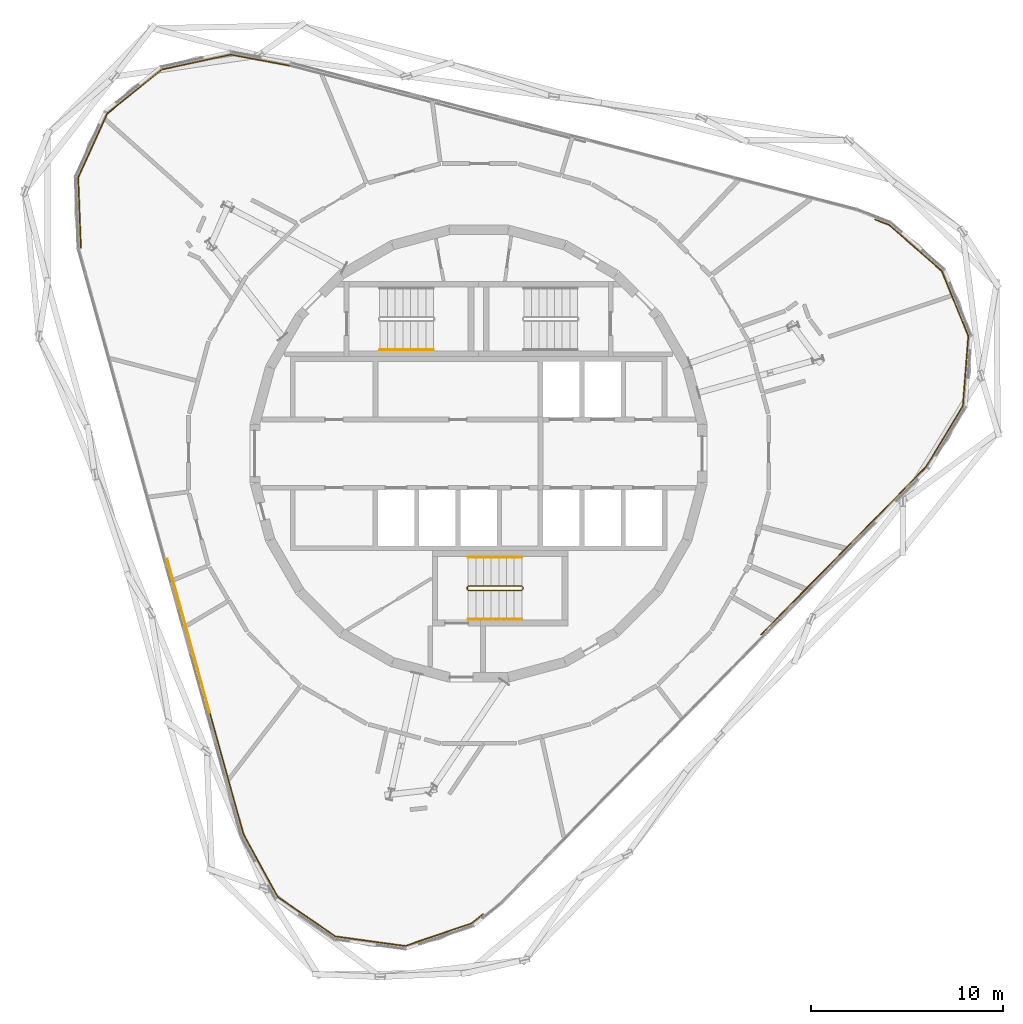
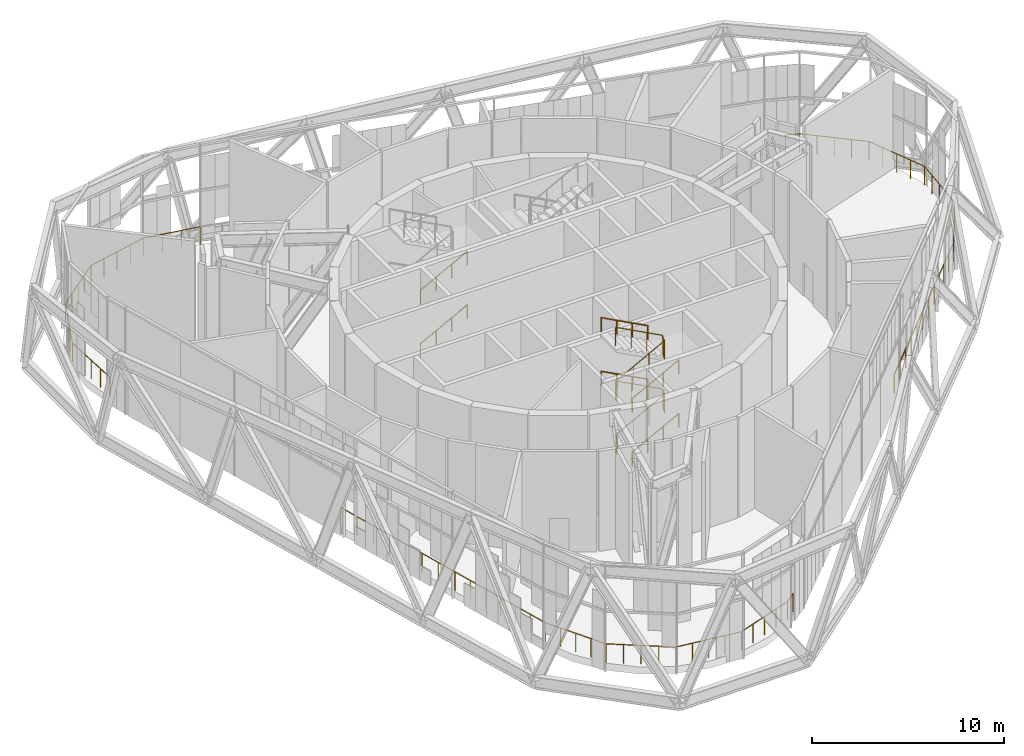
# One storey, part 22 of 23: 12 railings.
"""IFC4 building model written with IfcOpenShell, lengths in metres."""

from ifc_helpers import new_model, si_unit, direction, frame, origin, origin_2d, place, context, subcontext, project, spatial, circle, extrude, material, type_object, element, save


model = new_model("IFC4")

# Units and contexts
model_context = context("Model", 3, precision=1e-05, world=origin(), true_north=direction((0.0, 1.0)))
body_context = subcontext(model_context, "Body", "Model", "MODEL_VIEW")
ifc_project = project(units=[si_unit("LENGTHUNIT", "METRE"), si_unit("AREAUNIT", "SQUARE_METRE"), si_unit("VOLUMEUNIT", "CUBIC_METRE"), si_unit("PLANEANGLEUNIT", "RADIAN"), si_unit("MASSUNIT", "GRAM", prefix="KILO")], contexts=[model_context])

# Site, building, storey
site_placement = place(None, origin())
site = spatial("IfcSite", under=ifc_project, at=site_placement, CompositionType="ELEMENT")
building_placement = place(site_placement, origin())
building = spatial("IfcBuilding", under=site, at=building_placement, Name="Spindle Arch Residences", CompositionType="ELEMENT")
storey_placement = place(building_placement, frame((0.0, 0.0, 326.199951171875)))
storey = spatial("IfcBuildingStorey", under=building, at=storey_placement, Name="L84", CompositionType="ELEMENT", Elevation=326.199951171875)

# Railings
ifc_material_1 = material(Name="Bronze anodised aluminium guard with glass infill", Category="aluminium")
railing_type_1 = type_object("IfcRailingType", Name="Facade guard 1200", PredefinedType="GUARDRAIL", material=ifc_material_1)
railing_1_placement = place(storey_placement, frame((20.556396484375, -3.470947265625, 0.0)))
element("IfcRailing", 1, at=railing_1_placement, inside=storey, type_object=railing_type_1, Name="Facade guard L84 1", PredefinedType="GUARDRAIL", context=body_context, shape_type="SweptSolid", body=[
    extrude(circle(Radius=0.02392578125, at=origin_2d()), frame((0.0, 0.0, 1.17578125), z_axis=(0.70089977121, 0.713259777863, 0.0), x_axis=(-0.713259777863, 0.70089977121, 0.0)), (0.0, 0.0, 1.0), 3.910888671875),
    extrude(circle(Radius=0.02392578125, at=origin_2d()), frame((2.7412109375, 2.78955078125, 1.17578125), z_axis=(0.518177122252, 0.855273330564, 0.0), x_axis=(-0.855273330564, 0.518177122252, 0.0)), (0.0, 0.0, 1.0), 3.69140625),
    extrude(circle(Radius=0.02392578125, at=origin_2d()), frame((4.654052734375, 5.94677734375, 1.17578125), z_axis=(0.077794332517, 0.996969428733, 0.0), x_axis=(-0.996969428733, 0.077794332517, 0.0)), (0.0, 0.0, 1.0), 3.656005859375),
    extrude(circle(Radius=0.02392578125, at=origin_2d()), frame((4.9384765625, 9.591796875, 1.17578125), z_axis=(-0.377943722414, 0.925828570896, 0.0), x_axis=(-0.925828570896, -0.377943722414, 0.0)), (0.0, 0.0, 1.0), 3.65625),
    extrude(circle(Radius=0.02392578125, at=origin_2d()), frame((3.556640625, 12.976806640625, 1.17578125), z_axis=(-0.753205086226, 0.657785753937, 0.0), x_axis=(-0.657785753937, -0.753205086226, 0.0)), (0.0, 0.0, 1.0), 3.65625),
    extrude(circle(Radius=0.02392578125, at=origin_2d()), frame((0.802734375, 15.3818359375, 1.17578125), z_axis=(-0.931968605016, 0.362538989992, 0.0), x_axis=(-0.362538989992, -0.931968605016, 0.0)), (0.0, 0.0, 1.0), 0.76220703125),
    extrude(circle(Radius=0.02099609375, at=origin_2d()), origin(), (0.0, 0.0, 1.0), 1.15185546875),
    extrude(circle(Radius=0.02099609375, at=origin_2d()), frame((0.685302734375, 0.697265625, 0.0)), (0.0, 0.0, 1.0), 1.15185546875),
    extrude(circle(Radius=0.02099609375, at=origin_2d()), frame((1.37060546875, 1.394775390625, 0.0)), (0.0, 0.0, 1.0), 1.15185546875),
    extrude(circle(Radius=0.02099609375, at=origin_2d()), frame((2.055908203125, 2.09228515625, 0.0)), (0.0, 0.0, 1.0), 1.15185546875),
    extrude(circle(Radius=0.02099609375, at=origin_2d()), frame((2.7412109375, 2.78955078125, 0.0)), (0.0, 0.0, 1.0), 1.15185546875),
    extrude(circle(Radius=0.02099609375, at=origin_2d()), frame((3.219482421875, 3.578857421875, 0.0)), (0.0, 0.0, 1.0), 1.15185546875),
    extrude(circle(Radius=0.02099609375, at=origin_2d()), frame((3.69775390625, 4.3681640625, 0.0)), (0.0, 0.0, 1.0), 1.15185546875),
    extrude(circle(Radius=0.02099609375, at=origin_2d()), frame((4.17578125, 5.157470703125, 0.0)), (0.0, 0.0, 1.0), 1.15185546875),
    extrude(circle(Radius=0.02099609375, at=origin_2d()), frame((4.654052734375, 5.94677734375, 0.0)), (0.0, 0.0, 1.0), 1.15185546875),
    extrude(circle(Radius=0.02099609375, at=origin_2d()), frame((4.72509765625, 6.85791015625, 0.0)), (0.0, 0.0, 1.0), 1.15185546875),
    extrude(circle(Radius=0.02099609375, at=origin_2d()), frame((4.79638671875, 7.769287109375, 0.0)), (0.0, 0.0, 1.0), 1.15185546875),
    extrude(circle(Radius=0.02099609375, at=origin_2d()), frame((4.867431640625, 8.6806640625, 0.0)), (0.0, 0.0, 1.0), 1.15185546875),
    extrude(circle(Radius=0.02099609375, at=origin_2d()), frame((4.9384765625, 9.591796875, 0.0)), (0.0, 0.0, 1.0), 1.15185546875),
    extrude(circle(Radius=0.02099609375, at=origin_2d()), frame((4.593017578125, 10.43798828125, 0.0)), (0.0, 0.0, 1.0), 1.15185546875),
    extrude(circle(Radius=0.02099609375, at=origin_2d()), frame((4.24755859375, 11.2841796875, 0.0)), (0.0, 0.0, 1.0), 1.15185546875),
    extrude(circle(Radius=0.02099609375, at=origin_2d()), frame((3.902099609375, 12.130615234375, 0.0)), (0.0, 0.0, 1.0), 1.15185546875),
    extrude(circle(Radius=0.02099609375, at=origin_2d()), frame((3.556640625, 12.976806640625, 0.0)), (0.0, 0.0, 1.0), 1.15185546875),
    extrude(circle(Radius=0.02099609375, at=origin_2d()), frame((2.8681640625, 13.578125, 0.0)), (0.0, 0.0, 1.0), 1.15185546875),
    extrude(circle(Radius=0.02099609375, at=origin_2d()), frame((2.1796875, 14.17919921875, 0.0)), (0.0, 0.0, 1.0), 1.15185546875),
    extrude(circle(Radius=0.02099609375, at=origin_2d()), frame((1.4912109375, 14.780517578125, 0.0)), (0.0, 0.0, 1.0), 1.15185546875),
    extrude(circle(Radius=0.02099609375, at=origin_2d()), frame((0.802734375, 15.3818359375, 0.0)), (0.0, 0.0, 1.0), 1.15185546875),
    extrude(circle(Radius=0.02099609375, at=origin_2d()), frame((0.09228515625, 15.658203125, 0.0)), (0.0, 0.0, 1.0), 1.15185546875),
])
railing_2_placement = place(storey_placement, frame((-9.82373046875, 20.19580078125, 0.0)))
element("IfcRailing", 2, at=railing_2_placement, inside=storey, type_object=railing_type_1, Name="Facade guard L84 3", PredefinedType="GUARDRAIL", context=body_context, shape_type="SweptSolid", body=[
    extrude(circle(Radius=0.02392578125, at=origin_2d()), frame((0.0, 0.0, 1.17578125), z_axis=(-0.982955792974, 0.183842076412, 0.0), x_axis=(-0.183842076412, -0.982955792974, 0.0)), (0.0, 0.0, 1.0), 3.13671875),
    extrude(circle(Radius=0.02392578125, at=origin_2d()), frame((-3.083251953125, 0.57666015625, 1.17578125), z_axis=(-0.977538532166, -0.210756774816, 0.0), x_axis=(0.210756774816, -0.977538532166, 0.0)), (0.0, 0.0, 1.0), 3.666259765625),
    extrude(circle(Radius=0.02392578125, at=origin_2d()), frame((-6.667236328125, -0.196044921875, 1.17578125), z_axis=(-0.778524598798, -0.62761409247, 0.0), x_axis=(0.62761409247, -0.778524598798, 0.0)), (0.0, 0.0, 1.0), 3.65625),
    extrude(circle(Radius=0.02392578125, at=origin_2d()), frame((-9.513671875, -2.49072265625, 1.17578125), z_axis=(-0.414059500912, -0.910249817196, 0.0), x_axis=(0.910249817196, -0.414059500912, 0.0)), (0.0, 0.0, 1.0), 3.65625),
    extrude(circle(Radius=0.02392578125, at=origin_2d()), frame((-11.027587890625, -5.81884765625, 1.17578125), z_axis=(0.038461330533, -0.999260089293, 0.0), x_axis=(0.999260089293, 0.038461330533, 0.0)), (0.0, 0.0, 1.0), 3.65625),
    extrude(circle(Radius=0.02099609375, at=origin_2d()), origin(), (0.0, 0.0, 1.0), 1.15185546875),
    extrude(circle(Radius=0.02099609375, at=origin_2d()), frame((-1.02783203125, 0.192138671875, 0.0)), (0.0, 0.0, 1.0), 1.15185546875),
    extrude(circle(Radius=0.02099609375, at=origin_2d()), frame((-2.055419921875, 0.384521484375, 0.0)), (0.0, 0.0, 1.0), 1.15185546875),
    extrude(circle(Radius=0.02099609375, at=origin_2d()), frame((-3.083251953125, 0.57666015625, 0.0)), (0.0, 0.0, 1.0), 1.15185546875),
    extrude(circle(Radius=0.02099609375, at=origin_2d()), frame((-3.979248046875, 0.383544921875, 0.0)), (0.0, 0.0, 1.0), 1.15185546875),
    extrude(circle(Radius=0.02099609375, at=origin_2d()), frame((-4.875244140625, 0.1904296875, 0.0)), (0.0, 0.0, 1.0), 1.15185546875),
    extrude(circle(Radius=0.02099609375, at=origin_2d()), frame((-5.771240234375, -0.0029296875, 0.0)), (0.0, 0.0, 1.0), 1.15185546875),
    extrude(circle(Radius=0.02099609375, at=origin_2d()), frame((-6.667236328125, -0.196044921875, 0.0)), (0.0, 0.0, 1.0), 1.15185546875),
    extrude(circle(Radius=0.02099609375, at=origin_2d()), frame((-7.37890625, -0.769775390625, 0.0)), (0.0, 0.0, 1.0), 1.15185546875),
    extrude(circle(Radius=0.02099609375, at=origin_2d()), frame((-8.09033203125, -1.34326171875, 0.0)), (0.0, 0.0, 1.0), 1.15185546875),
    extrude(circle(Radius=0.02099609375, at=origin_2d()), frame((-8.802001953125, -1.9169921875, 0.0)), (0.0, 0.0, 1.0), 1.15185546875),
    extrude(circle(Radius=0.02099609375, at=origin_2d()), frame((-9.513671875, -2.49072265625, 0.0)), (0.0, 0.0, 1.0), 1.15185546875),
    extrude(circle(Radius=0.02099609375, at=origin_2d()), frame((-9.89208984375, -3.32275390625, 0.0)), (0.0, 0.0, 1.0), 1.15185546875),
    extrude(circle(Radius=0.02099609375, at=origin_2d()), frame((-10.2705078125, -4.15478515625, 0.0)), (0.0, 0.0, 1.0), 1.15185546875),
    extrude(circle(Radius=0.02099609375, at=origin_2d()), frame((-10.649169921875, -4.98681640625, 0.0)), (0.0, 0.0, 1.0), 1.15185546875),
    extrude(circle(Radius=0.02099609375, at=origin_2d()), frame((-11.027587890625, -5.81884765625, 0.0)), (0.0, 0.0, 1.0), 1.15185546875),
    extrude(circle(Radius=0.02099609375, at=origin_2d()), frame((-10.992431640625, -6.732177734375, 0.0)), (0.0, 0.0, 1.0), 1.15185546875),
    extrude(circle(Radius=0.02099609375, at=origin_2d()), frame((-10.957275390625, -7.6455078125, 0.0)), (0.0, 0.0, 1.0), 1.15185546875),
    extrude(circle(Radius=0.02099609375, at=origin_2d()), frame((-10.922119140625, -8.55908203125, 0.0)), (0.0, 0.0, 1.0), 1.15185546875),
    extrude(circle(Radius=0.02099609375, at=origin_2d()), frame((-10.886962890625, -9.472412109375, 0.0)), (0.0, 0.0, 1.0), 1.15185546875),
])
railing_3_placement = place(storey_placement, frame((-16.21826171875, -5.48681640625, 0.0)))
element("IfcRailing", 3, at=railing_3_placement, inside=storey, type_object=railing_type_1, Name="Facade guard L84 4", PredefinedType="GUARDRAIL", context=body_context, shape_type="SweptSolid", body=[
    extrude(circle(Radius=0.02392578125, at=origin_2d()), frame((0.0, 0.0, 1.17578125), z_axis=(0.267254277394, -0.963626043242, 0.0), x_axis=(0.963626043242, 0.267254277394, 0.0)), (0.0, 0.0, 1.0), 8.274658203125),
    extrude(circle(Radius=0.02099609375, at=origin_2d()), origin(), (0.0, 0.0, 1.0), 1.15185546875),
    extrude(circle(Radius=0.02099609375, at=origin_2d()), frame((0.31591796875, -1.13916015625, 0.0)), (0.0, 0.0, 1.0), 1.15185546875),
    extrude(circle(Radius=0.02099609375, at=origin_2d()), frame((0.6318359375, -2.278076171875, 0.0)), (0.0, 0.0, 1.0), 1.15185546875),
    extrude(circle(Radius=0.02099609375, at=origin_2d()), frame((0.94775390625, -3.417236328125, 0.0)), (0.0, 0.0, 1.0), 1.15185546875),
    extrude(circle(Radius=0.02099609375, at=origin_2d()), frame((1.263671875, -4.556396484375, 0.0)), (0.0, 0.0, 1.0), 1.15185546875),
    extrude(circle(Radius=0.02099609375, at=origin_2d()), frame((1.57958984375, -5.695556640625, 0.0)), (0.0, 0.0, 1.0), 1.15185546875),
    extrude(circle(Radius=0.02099609375, at=origin_2d()), frame((1.8955078125, -6.83447265625, 0.0)), (0.0, 0.0, 1.0), 1.15185546875),
    extrude(circle(Radius=0.02099609375, at=origin_2d()), frame((2.21142578125, -7.9736328125, 0.0)), (0.0, 0.0, 1.0), 1.15185546875),
])
railing_4_placement = place(storey_placement, frame((-13.990966796875, -13.51806640625, 0.0)))
element("IfcRailing", 4, at=railing_4_placement, inside=storey, type_object=railing_type_1, Name="Facade guard L84 5", PredefinedType="GUARDRAIL", context=body_context, shape_type="SweptSolid", body=[
    extrude(circle(Radius=0.02392578125, at=origin_2d()), frame((0.0, 0.0, 1.17578125), z_axis=(0.267261639953, -0.963624001263, 0.0), x_axis=(0.963624001263, 0.267261639953, 0.0)), (0.0, 0.0, 1.0), 6.55615234375),
    extrude(circle(Radius=0.02392578125, at=origin_2d()), frame((1.752197265625, -6.317626953125, 1.17578125), z_axis=(0.481560719127, -0.876412730278, 0.0), x_axis=(0.876412730278, 0.481560719127, 0.0)), (0.0, 0.0, 1.0), 3.69140625),
    extrude(circle(Radius=0.02392578125, at=origin_2d()), frame((3.52978515625, -9.552734375, 1.17578125), z_axis=(0.824517017655, -0.565837156431, 0.0), x_axis=(0.565837156431, 0.824517017655, 0.0)), (0.0, 0.0, 1.0), 3.65625),
    extrude(circle(Radius=0.02392578125, at=origin_2d()), frame((6.54443359375, -11.62158203125, 1.17578125), z_axis=(0.990760551699, -0.135622745872, 0.0), x_axis=(0.135622745872, 0.990760551699, 0.0)), (0.0, 0.0, 1.0), 3.656005859375),
    extrude(circle(Radius=0.02392578125, at=origin_2d()), frame((10.166748046875, -12.117431640625, 1.17578125), z_axis=(0.94624521744, 0.323450132897, 0.0), x_axis=(-0.323450132897, 0.94624521744, 0.0)), (0.0, 0.0, 1.0), 3.65625),
    extrude(circle(Radius=0.02392578125, at=origin_2d()), frame((13.62646484375, -10.934814453125, 1.17578125), z_axis=(0.779930466801, 0.625866173359, 0.0), x_axis=(-0.625866173359, 0.779930466801, 0.0)), (0.0, 0.0, 1.0), 0.76220703125),
    extrude(circle(Radius=0.02099609375, at=origin_2d()), origin(), (0.0, 0.0, 1.0), 1.15185546875),
    extrude(circle(Radius=0.02099609375, at=origin_2d()), frame((0.2919921875, -1.052978515625, 0.0)), (0.0, 0.0, 1.0), 1.15185546875),
    extrude(circle(Radius=0.02099609375, at=origin_2d()), frame((0.583984375, -2.10595703125, 0.0)), (0.0, 0.0, 1.0), 1.15185546875),
    extrude(circle(Radius=0.02099609375, at=origin_2d()), frame((0.8759765625, -3.15869140625, 0.0)), (0.0, 0.0, 1.0), 1.15185546875),
    extrude(circle(Radius=0.02099609375, at=origin_2d()), frame((1.168212890625, -4.211669921875, 0.0)), (0.0, 0.0, 1.0), 1.15185546875),
    extrude(circle(Radius=0.02099609375, at=origin_2d()), frame((1.460205078125, -5.2646484375, 0.0)), (0.0, 0.0, 1.0), 1.15185546875),
    extrude(circle(Radius=0.02099609375, at=origin_2d()), frame((1.752197265625, -6.317626953125, 0.0)), (0.0, 0.0, 1.0), 1.15185546875),
    extrude(circle(Radius=0.02099609375, at=origin_2d()), frame((2.196533203125, -7.12646484375, 0.0)), (0.0, 0.0, 1.0), 1.15185546875),
    extrude(circle(Radius=0.02099609375, at=origin_2d()), frame((2.64111328125, -7.93505859375, 0.0)), (0.0, 0.0, 1.0), 1.15185546875),
    extrude(circle(Radius=0.02099609375, at=origin_2d()), frame((3.08544921875, -8.743896484375, 0.0)), (0.0, 0.0, 1.0), 1.15185546875),
    extrude(circle(Radius=0.02099609375, at=origin_2d()), frame((3.52978515625, -9.552734375, 0.0)), (0.0, 0.0, 1.0), 1.15185546875),
    extrude(circle(Radius=0.02099609375, at=origin_2d()), frame((4.283447265625, -10.06982421875, 0.0)), (0.0, 0.0, 1.0), 1.15185546875),
    extrude(circle(Radius=0.02099609375, at=origin_2d()), frame((5.037109375, -10.587158203125, 0.0)), (0.0, 0.0, 1.0), 1.15185546875),
    extrude(circle(Radius=0.02099609375, at=origin_2d()), frame((5.790771484375, -11.1044921875, 0.0)), (0.0, 0.0, 1.0), 1.15185546875),
    extrude(circle(Radius=0.02099609375, at=origin_2d()), frame((6.54443359375, -11.62158203125, 0.0)), (0.0, 0.0, 1.0), 1.15185546875),
    extrude(circle(Radius=0.02099609375, at=origin_2d()), frame((7.449951171875, -11.74560546875, 0.0)), (0.0, 0.0, 1.0), 1.15185546875),
    extrude(circle(Radius=0.02099609375, at=origin_2d()), frame((8.35546875, -11.86962890625, 0.0)), (0.0, 0.0, 1.0), 1.15185546875),
    extrude(circle(Radius=0.02099609375, at=origin_2d()), frame((9.26123046875, -11.993408203125, 0.0)), (0.0, 0.0, 1.0), 1.15185546875),
    extrude(circle(Radius=0.02099609375, at=origin_2d()), frame((10.166748046875, -12.117431640625, 0.0)), (0.0, 0.0, 1.0), 1.15185546875),
    extrude(circle(Radius=0.02099609375, at=origin_2d()), frame((11.03173828125, -11.82177734375, 0.0)), (0.0, 0.0, 1.0), 1.15185546875),
    extrude(circle(Radius=0.02099609375, at=origin_2d()), frame((11.896484375, -11.526123046875, 0.0)), (0.0, 0.0, 1.0), 1.15185546875),
    extrude(circle(Radius=0.02099609375, at=origin_2d()), frame((12.761474609375, -11.23046875, 0.0)), (0.0, 0.0, 1.0), 1.15185546875),
    extrude(circle(Radius=0.02099609375, at=origin_2d()), frame((13.62646484375, -10.934814453125, 0.0)), (0.0, 0.0, 1.0), 1.15185546875),
    extrude(circle(Radius=0.02099609375, at=origin_2d()), frame((14.220947265625, -10.457763671875, 0.0)), (0.0, 0.0, 1.0), 1.15185546875),
])
railing_5_placement = place(storey_placement, frame((14.71240234375, -9.417724609375, 0.0)))
element("IfcRailing", 5, at=railing_5_placement, inside=storey, type_object=railing_type_1, Name="Facade guard L84 6", PredefinedType="GUARDRAIL", context=body_context, shape_type="SweptSolid", body=[
    extrude(circle(Radius=0.02392578125, at=origin_2d()), frame((0.0, 0.0, 1.17578125), z_axis=(0.700915747366, 0.713244078205, 0.0), x_axis=(-0.713244078205, 0.700915747366, 0.0)), (0.0, 0.0, 1.0), 8.27783203125),
    extrude(circle(Radius=0.02099609375, at=origin_2d()), origin(), (0.0, 0.0, 1.0), 1.15185546875),
    extrude(circle(Radius=0.02099609375, at=origin_2d()), frame((0.828857421875, 0.843505859375, 0.0)), (0.0, 0.0, 1.0), 1.15185546875),
    extrude(circle(Radius=0.02099609375, at=origin_2d()), frame((1.65771484375, 1.686767578125, 0.0)), (0.0, 0.0, 1.0), 1.15185546875),
    extrude(circle(Radius=0.02099609375, at=origin_2d()), frame((2.486572265625, 2.5302734375, 0.0)), (0.0, 0.0, 1.0), 1.15185546875),
    extrude(circle(Radius=0.02099609375, at=origin_2d()), frame((3.3154296875, 3.373779296875, 0.0)), (0.0, 0.0, 1.0), 1.15185546875),
    extrude(circle(Radius=0.02099609375, at=origin_2d()), frame((4.144287109375, 4.21728515625, 0.0)), (0.0, 0.0, 1.0), 1.15185546875),
    extrude(circle(Radius=0.02099609375, at=origin_2d()), frame((4.97314453125, 5.060546875, 0.0)), (0.0, 0.0, 1.0), 1.15185546875),
    extrude(circle(Radius=0.02099609375, at=origin_2d()), frame((5.802001953125, 5.904052734375, 0.0)), (0.0, 0.0, 1.0), 1.15185546875),
])
ifc_material_2 = material(Name="Steel, painted", Category="steel")
railing_type_2 = type_object("IfcRailingType", Name="Stair guard 1100", PredefinedType="GUARDRAIL", material=ifc_material_2)
railing_6_placement = place(storey_placement, frame((-0.550048828125, -6.89990234375, 6.800048828125)))
element("IfcRailing", 6, at=railing_6_placement, inside=storey, type_object=railing_type_2, Name="L84 ST3 stair guard 1", PredefinedType="GUARDRAIL", context=body_context, shape_type="SweptSolid", body=[
    extrude(circle(Radius=0.02392578125, at=origin_2d()), frame((0.0, 0.0, 1.17578125), z_axis=(0.88311272858, 0.0, -0.469160855806), x_axis=(0.0, 1.0, 0.0)), (0.0, 0.0, 1.0), 3.170654296875),
    extrude(circle(Radius=0.02392578125, at=origin_2d()), frame((2.800048828125, 0.0, -0.3115234375), z_axis=(0.223546962728, -0.223546962728, -0.948711500357), x_axis=(0.707106781187, 0.707106781187, 0.0)), (0.0, 0.0, 1.0), 0.223876953125),
    extrude(circle(Radius=0.02392578125, at=origin_2d()), frame((2.85009765625, -0.050048828125, -0.52392578125), z_axis=(0.0, -1.0, 0.0), x_axis=(1.0, 0.0, 0.0)), (0.0, 0.0, 1.0), 0.1201171875),
    extrude(circle(Radius=0.02392578125, at=origin_2d()), frame((2.85009765625, -0.170166015625, -0.52392578125), z_axis=(-0.707106781187, -0.707106781187, 0.0), x_axis=(0.707106781187, -0.707106781187, 0.0)), (0.0, 0.0, 1.0), 0.07080078125),
    extrude(circle(Radius=0.02392578125, at=origin_2d()), frame((2.800048828125, -0.22021484375, -0.52392578125), z_axis=(-0.88311272858, 0.0, -0.469160855806), x_axis=(0.0, -1.0, 0.0)), (0.0, 0.0, 1.0), 3.170654296875),
    extrude(circle(Radius=0.02392578125, at=origin_2d()), frame((0.0, -0.22021484375, -2.01171875), z_axis=(-0.180861968005, 0.614930691216, -0.767560547142), x_axis=(-0.959365501571, -0.282166323992, 0.0)), (0.0, 0.0, 1.0), 0.276611328125),
    extrude(circle(Radius=0.02392578125, at=origin_2d()), frame((-0.050048828125, -0.050048828125, -2.22412109375), z_axis=(0.0, -1.0, 0.0), x_axis=(1.0, 0.0, 0.0)), (0.0, 0.0, 1.0), 0.1201171875),
    extrude(circle(Radius=0.02392578125, at=origin_2d()), frame((-0.050048828125, -0.170166015625, -2.22412109375), z_axis=(0.282166323992, 0.959365501571, 0.0), x_axis=(-0.959365501571, 0.282166323992, 0.0)), (0.0, 0.0, 1.0), 0.177490234375),
    extrude(circle(Radius=0.02392578125, at=origin_2d()), frame((0.0, 0.0, -2.22412109375), z_axis=(0.88311272858, 0.0, -0.469160855806), x_axis=(0.0, 1.0, 0.0)), (0.0, 0.0, 1.0), 3.170654296875),
    extrude(circle(Radius=0.02392578125, at=origin_2d()), frame((2.800048828125, 0.0, -3.71142578125), z_axis=(0.223315919267, -0.223315919267, -0.9488203204), x_axis=(0.707106781187, 0.707106781187, 0.0)), (0.0, 0.0, 1.0), 0.22412109375),
    extrude(circle(Radius=0.02392578125, at=origin_2d()), frame((2.85009765625, -0.050048828125, -3.92431640625), z_axis=(0.0, -1.0, 0.0), x_axis=(1.0, 0.0, 0.0)), (0.0, 0.0, 1.0), 0.1201171875),
    extrude(circle(Radius=0.02392578125, at=origin_2d()), frame((2.85009765625, -0.170166015625, -3.92431640625), z_axis=(-0.707106781187, -0.707106781187, 0.0), x_axis=(0.707106781187, -0.707106781187, 0.0)), (0.0, 0.0, 1.0), 0.07080078125),
    extrude(circle(Radius=0.02392578125, at=origin_2d()), frame((2.800048828125, -0.22021484375, -3.92431640625), z_axis=(-0.883144630469, 0.0, -0.469100801187), x_axis=(0.0, -1.0, 0.0)), (0.0, 0.0, 1.0), 3.170654296875),
    extrude(circle(Radius=0.02392578125, at=origin_2d()), frame((0.0, -0.22021484375, -5.41162109375), z_axis=(-0.223315919267, 0.223315919267, -0.9488203204), x_axis=(-0.707106781187, -0.707106781187, 0.0)), (0.0, 0.0, 1.0), 0.22412109375),
    extrude(circle(Radius=0.02392578125, at=origin_2d()), frame((-0.050048828125, -0.170166015625, -5.6240234375), z_axis=(0.0, 1.0, 0.0), x_axis=(-1.0, 0.0, 0.0)), (0.0, 0.0, 1.0), 0.1201171875),
    extrude(circle(Radius=0.02099609375, at=origin_2d()), origin(), (0.0, 0.0, 1.0), 1.15185546875),
    extrude(circle(Radius=0.02099609375, at=origin_2d()), frame((0.933349609375, 0.0, -0.495849609375)), (0.0, 0.0, 1.0), 1.15185546875),
    extrude(circle(Radius=0.02099609375, at=origin_2d()), frame((1.86669921875, 0.0, -0.99169921875)), (0.0, 0.0, 1.0), 1.15185546875),
    extrude(circle(Radius=0.02099609375, at=origin_2d()), frame((2.800048828125, 0.0, -1.487548828125)), (0.0, 0.0, 1.0), 1.15185546875),
    extrude(circle(Radius=0.02099609375, at=origin_2d()), frame((2.85009765625, -0.050048828125, -1.699951171875)), (0.0, 0.0, 1.0), 1.15185546875),
    extrude(circle(Radius=0.02099609375, at=origin_2d()), frame((2.85009765625, -0.170166015625, -1.699951171875)), (0.0, 0.0, 1.0), 1.15185546875),
    extrude(circle(Radius=0.02099609375, at=origin_2d()), frame((2.800048828125, -0.22021484375, -1.699951171875)), (0.0, 0.0, 1.0), 1.15185546875),
    extrude(circle(Radius=0.02099609375, at=origin_2d()), frame((1.86669921875, -0.22021484375, -2.19580078125)), (0.0, 0.0, 1.0), 1.15185546875),
    extrude(circle(Radius=0.02099609375, at=origin_2d()), frame((0.933349609375, -0.22021484375, -2.691650390625)), (0.0, 0.0, 1.0), 1.15185546875),
    extrude(circle(Radius=0.02099609375, at=origin_2d()), frame((0.0, -0.22021484375, -3.1875)), (0.0, 0.0, 1.0), 1.15185546875),
    extrude(circle(Radius=0.02099609375, at=origin_2d()), frame((-0.050048828125, -0.050048828125, -3.39990234375)), (0.0, 0.0, 1.0), 1.15185546875),
    extrude(circle(Radius=0.02099609375, at=origin_2d()), frame((-0.050048828125, -0.170166015625, -3.39990234375)), (0.0, 0.0, 1.0), 1.15185546875),
    extrude(circle(Radius=0.02099609375, at=origin_2d()), frame((0.0, 0.0, -3.39990234375)), (0.0, 0.0, 1.0), 1.15185546875),
    extrude(circle(Radius=0.02099609375, at=origin_2d()), frame((0.933349609375, 0.0, -3.895751953125)), (0.0, 0.0, 1.0), 1.15185546875),
    extrude(circle(Radius=0.02099609375, at=origin_2d()), frame((1.86669921875, 0.0, -4.3916015625)), (0.0, 0.0, 1.0), 1.15185546875),
    extrude(circle(Radius=0.02099609375, at=origin_2d()), frame((2.800048828125, 0.0, -4.887451171875)), (0.0, 0.0, 1.0), 1.15185546875),
    extrude(circle(Radius=0.02099609375, at=origin_2d()), frame((2.85009765625, -0.050048828125, -5.10009765625)), (0.0, 0.0, 1.0), 1.15185546875),
    extrude(circle(Radius=0.02099609375, at=origin_2d()), frame((2.85009765625, -0.170166015625, -5.10009765625)), (0.0, 0.0, 1.0), 1.15185546875),
    extrude(circle(Radius=0.02099609375, at=origin_2d()), frame((2.800048828125, -0.22021484375, -5.10009765625)), (0.0, 0.0, 1.0), 1.15185546875),
    extrude(circle(Radius=0.02099609375, at=origin_2d()), frame((1.86669921875, -0.22021484375, -5.595947265625)), (0.0, 0.0, 1.0), 1.15185546875),
    extrude(circle(Radius=0.02099609375, at=origin_2d()), frame((0.933349609375, -0.22021484375, -6.091552734375)), (0.0, 0.0, 1.0), 1.15185546875),
    extrude(circle(Radius=0.02099609375, at=origin_2d()), frame((0.0, -0.22021484375, -6.58740234375)), (0.0, 0.0, 1.0), 1.15185546875),
    extrude(circle(Radius=0.02099609375, at=origin_2d()), frame((-0.050048828125, -0.170166015625, -6.800048828125)), (0.0, 0.0, 1.0), 1.15185546875),
    extrude(circle(Radius=0.02099609375, at=origin_2d()), frame((-0.050048828125, -0.050048828125, -6.800048828125)), (0.0, 0.0, 1.0), 1.15185546875),
])
ifc_material_3 = material(Name="Steel, painted", Category="steel")
railing_type_3 = type_object("IfcRailingType", Name="Stair handrail 900", PredefinedType="HANDRAIL", material=ifc_material_3)
railing_7_placement = place(storey_placement, frame((-5.14990234375, 5.39990234375, 0.212646484375)))
element("IfcRailing", 7, at=railing_7_placement, inside=storey, type_object=railing_type_3, Name="L84 ST2 stair handrail 1", PredefinedType="HANDRAIL", context=body_context, shape_type="SweptSolid", body=[
    extrude(circle(Radius=0.02392578125, at=origin_2d()), frame((0.0, 0.0, 0.8759765625), z_axis=(0.883127683855, 0.0, 0.46913270405), x_axis=(0.0, 1.0, 0.0)), (0.0, 0.0, 1.0), 3.17041015625),
    extrude(circle(Radius=0.02099609375, at=origin_2d()), origin(), (0.0, 0.0, 1.0), 0.851806640625),
    extrude(circle(Radius=0.02099609375, at=origin_2d()), frame((0.933349609375, 0.0, 0.495849609375)), (0.0, 0.0, 1.0), 0.851806640625),
    extrude(circle(Radius=0.02099609375, at=origin_2d()), frame((1.866455078125, 0.0, 0.991455078125)), (0.0, 0.0, 1.0), 0.851806640625),
    extrude(circle(Radius=0.02099609375, at=origin_2d()), frame((2.7998046875, 0.0, 1.4873046875)), (0.0, 0.0, 1.0), 0.851806640625),
])
railing_8_placement = place(storey_placement, frame((-5.14990234375, 5.39990234375, 3.612548828125)))
element("IfcRailing", 8, at=railing_8_placement, inside=storey, type_object=railing_type_3, Name="L84 ST2 stair handrail 3", PredefinedType="HANDRAIL", context=body_context, shape_type="SweptSolid", body=[
    extrude(circle(Radius=0.02392578125, at=origin_2d()), frame((0.0, 0.0, 0.8759765625), z_axis=(0.883095778239, 0.0, 0.469192760447), x_axis=(0.0, 1.0, 0.0)), (0.0, 0.0, 1.0), 3.17041015625),
    extrude(circle(Radius=0.02099609375, at=origin_2d()), origin(), (0.0, 0.0, 1.0), 0.851806640625),
    extrude(circle(Radius=0.02099609375, at=origin_2d()), frame((0.933349609375, 0.0, 0.495849609375)), (0.0, 0.0, 1.0), 0.851806640625),
    extrude(circle(Radius=0.02099609375, at=origin_2d()), frame((1.866455078125, 0.0, 0.99169921875)), (0.0, 0.0, 1.0), 0.851806640625),
    extrude(circle(Radius=0.02099609375, at=origin_2d()), frame((2.7998046875, 0.0, 1.487548828125)), (0.0, 0.0, 1.0), 0.851806640625),
])
railing_9_placement = place(storey_placement, frame((-0.550048828125, -8.6201171875, 0.212646484375)))
element("IfcRailing", 9, at=railing_9_placement, inside=storey, type_object=railing_type_3, Name="L84 ST3 stair handrail 1", PredefinedType="HANDRAIL", context=body_context, shape_type="SweptSolid", body=[
    extrude(circle(Radius=0.02392578125, at=origin_2d()), frame((0.0, 0.0, 0.8759765625), z_axis=(0.883144630469, 0.0, 0.469100801187), x_axis=(0.0, 1.0, 0.0)), (0.0, 0.0, 1.0), 3.170654296875),
    extrude(circle(Radius=0.02099609375, at=origin_2d()), origin(), (0.0, 0.0, 1.0), 0.851806640625),
    extrude(circle(Radius=0.02099609375, at=origin_2d()), frame((0.933349609375, 0.0, 0.495849609375)), (0.0, 0.0, 1.0), 0.851806640625),
    extrude(circle(Radius=0.02099609375, at=origin_2d()), frame((1.86669921875, 0.0, 0.991455078125)), (0.0, 0.0, 1.0), 0.851806640625),
    extrude(circle(Radius=0.02099609375, at=origin_2d()), frame((2.800048828125, 0.0, 1.4873046875)), (0.0, 0.0, 1.0), 0.851806640625),
])
railing_10_placement = place(storey_placement, frame((2.25, -5.39990234375, 1.91259765625)))
element("IfcRailing", 10, at=railing_10_placement, inside=storey, type_object=railing_type_3, Name="L84 ST3 stair handrail 2", PredefinedType="HANDRAIL", context=body_context, shape_type="SweptSolid", body=[
    extrude(circle(Radius=0.02392578125, at=origin_2d()), frame((0.0, 0.0, 0.8759765625), z_axis=(-0.88311272858, 0.0, 0.469160855806), x_axis=(0.0, -1.0, 0.0)), (0.0, 0.0, 1.0), 3.170654296875),
    extrude(circle(Radius=0.02099609375, at=origin_2d()), origin(), (0.0, 0.0, 1.0), 0.851806640625),
    extrude(circle(Radius=0.02099609375, at=origin_2d()), frame((-0.933349609375, 0.0, 0.495849609375)), (0.0, 0.0, 1.0), 0.851806640625),
    extrude(circle(Radius=0.02099609375, at=origin_2d()), frame((-1.86669921875, 0.0, 0.99169921875)), (0.0, 0.0, 1.0), 0.851806640625),
    extrude(circle(Radius=0.02099609375, at=origin_2d()), frame((-2.800048828125, 0.0, 1.487548828125)), (0.0, 0.0, 1.0), 0.851806640625),
])
railing_11_placement = place(storey_placement, frame((-0.550048828125, -8.6201171875, 3.612548828125)))
element("IfcRailing", 11, at=railing_11_placement, inside=storey, type_object=railing_type_3, Name="L84 ST3 stair handrail 3", PredefinedType="HANDRAIL", context=body_context, shape_type="SweptSolid", body=[
    extrude(circle(Radius=0.02392578125, at=origin_2d()), frame((0.0, 0.0, 0.8759765625), z_axis=(0.88311272858, 0.0, 0.469160855806), x_axis=(0.0, 1.0, 0.0)), (0.0, 0.0, 1.0), 3.170654296875),
    extrude(circle(Radius=0.02099609375, at=origin_2d()), origin(), (0.0, 0.0, 1.0), 0.851806640625),
    extrude(circle(Radius=0.02099609375, at=origin_2d()), frame((0.933349609375, 0.0, 0.495849609375)), (0.0, 0.0, 1.0), 0.851806640625),
    extrude(circle(Radius=0.02099609375, at=origin_2d()), frame((1.86669921875, 0.0, 0.99169921875)), (0.0, 0.0, 1.0), 0.851806640625),
    extrude(circle(Radius=0.02099609375, at=origin_2d()), frame((2.800048828125, 0.0, 1.487548828125)), (0.0, 0.0, 1.0), 0.851806640625),
])
railing_12_placement = place(storey_placement, frame((2.25, -5.39990234375, 5.3125)))
element("IfcRailing", 12, at=railing_12_placement, inside=storey, type_object=railing_type_3, Name="L84 ST3 stair handrail 4", PredefinedType="HANDRAIL", context=body_context, shape_type="SweptSolid", body=[
    extrude(circle(Radius=0.02392578125, at=origin_2d()), frame((0.0, 0.0, 0.8759765625), z_axis=(-0.88311272858, 0.0, 0.469160855806), x_axis=(0.0, -1.0, 0.0)), (0.0, 0.0, 1.0), 3.170654296875),
    extrude(circle(Radius=0.02099609375, at=origin_2d()), origin(), (0.0, 0.0, 1.0), 0.851806640625),
    extrude(circle(Radius=0.02099609375, at=origin_2d()), frame((-0.933349609375, 0.0, 0.495849609375)), (0.0, 0.0, 1.0), 0.851806640625),
    extrude(circle(Radius=0.02099609375, at=origin_2d()), frame((-1.86669921875, 0.0, 0.99169921875)), (0.0, 0.0, 1.0), 0.851806640625),
    extrude(circle(Radius=0.02099609375, at=origin_2d()), frame((-2.800048828125, 0.0, 1.487548828125)), (0.0, 0.0, 1.0), 0.851806640625),
])

save(model, "model.ifc")
